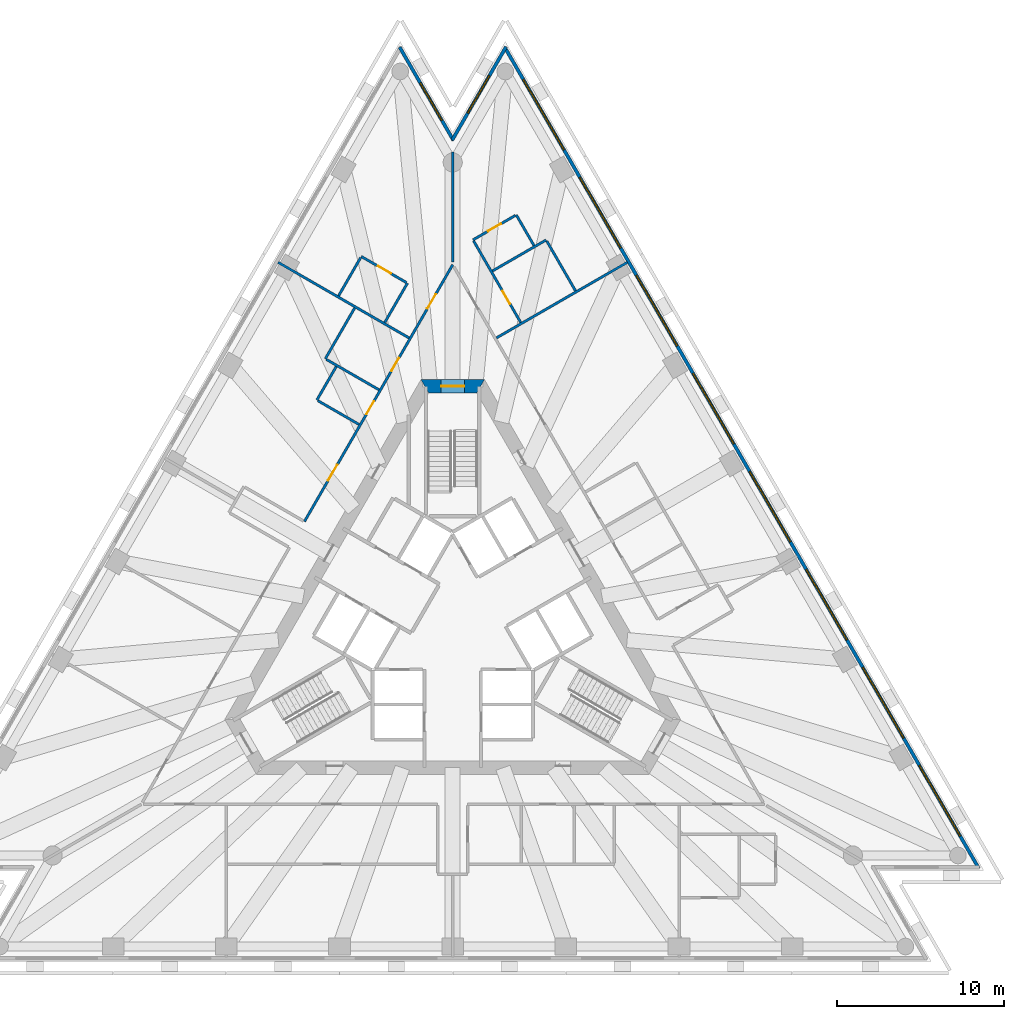
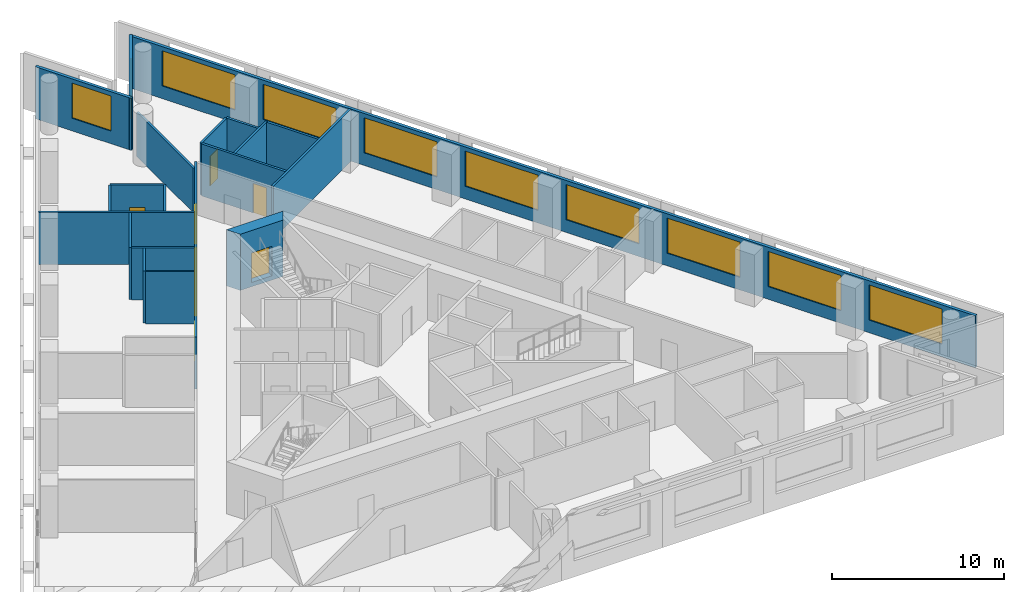
# One storey, part 6 of 9: 20 walls, 10 windows, 8 doors, 18 openings.
"""IFC4 building model written with IfcOpenShell, lengths in metres."""

from ifc_helpers import new_model, si_unit, direction, frame, frame_2d, origin, place, context, subcontext, project, spatial, polyline, rectangle, outline, extrude, material, layer, layer_set, layer_usage, type_object, element, fill, save


model = new_model("IFC4")

# Units and contexts
model_context = context("Model", 3, precision=1e-05, world=origin(), true_north=direction((0.0, 1.0)))
body_context = subcontext(model_context, "Body", "Model", "MODEL_VIEW")
ifc_project = project(units=[si_unit("LENGTHUNIT", "METRE"), si_unit("AREAUNIT", "SQUARE_METRE"), si_unit("VOLUMEUNIT", "CUBIC_METRE"), si_unit("PLANEANGLEUNIT", "RADIAN"), si_unit("MASSUNIT", "GRAM", prefix="KILO")], contexts=[model_context])

# Site, building, storey
site_placement = place(None, origin())
site = spatial("IfcSite", under=ifc_project, at=site_placement, CompositionType="ELEMENT")
building_placement = place(site_placement, origin())
building = spatial("IfcBuilding", under=site, at=building_placement, Name="Triada Interchange Tower", CompositionType="ELEMENT")
storey_placement = place(building_placement, frame((0.0, 0.0, 132.300048828125)))
storey = spatial("IfcBuildingStorey", under=building, at=storey_placement, Name="L30", CompositionType="ELEMENT", Elevation=132.300048828125)

# Wall, opening, door
ifc_material_1 = material(Name="Concrete C60/75", Category="concrete")
ifc_layer_1 = layer(ifc_material_1, 0.800048828125)
ifc_layer_set_1 = layer_set([ifc_layer_1], Name="Core wall B 800")
wall_type_1 = type_object("IfcWallType", Name="Core wall B 800", PredefinedType="SHEAR", material=ifc_layer_set_1)
wall_1_placement = place(storey_placement, frame((1.674072265625, 14.300048828125, -0.300048828125), z_axis=(0.0, 0.0, 1.0), x_axis=(-1.0, 0.0, 0.0)))
wall_1 = element("IfcWall", 1, at=wall_1_placement, inside=storey, type_object=wall_type_1, Name="Core wall WB01 L30", PredefinedType="SHEAR", context=body_context, shape_type="SweptSolid", body=[
    extrude(outline(polyline([(-0.23095703125, -0.39990234375), (1.674072265625, -0.39990234375), (3.5791015625, -0.39990234375), (3.116943359375, 0.39990234375), (1.673828125, 0.39990234375), (0.23095703125, 0.39990234375), (-0.23095703125, -0.39990234375)])), origin(), (0.0, 0.0, 1.0), 4.0),
])
opening_1_placement = place(wall_1_placement, frame((0.97412109375, 0.0, 0.300048828125)))
opening_1 = element("IfcOpeningElement", 2, at=opening_1_placement, cuts=wall_1, Name="Opening D29-38", PredefinedType="OPENING", context=body_context, shape_type="SweptSolid", body=[
    extrude(rectangle(XDim=1.39990234375, YDim=2.10009765625, at=frame_2d((0.699951171875, 1.050048828125))), frame((0.0, 0.409912109375, 0.0), z_axis=(0.0, -1.0, 0.0), x_axis=(1.0, 0.0, 0.0)), (0.0, 0.0, 1.0), 0.820068359375),
])
ifc_material_2 = material(Name="Steel S235 door leaf", Category="steel")
door_type_1 = type_object("IfcDoorType", Name="STAIR DOOR 1400 EI2 90-C5S200", OperationType="DOUBLE_DOOR_SINGLE_SWING", PredefinedType="DOOR", material=ifc_material_2)
door_1_placement = place(opening_1_placement, origin())
door_1 = element("IfcDoor", 3, at=door_1_placement, inside=storey, type_object=door_type_1, Name="Door D29-38 L30", OperationType="DOUBLE_DOOR_SINGLE_SWING", OverallHeight=2.10009765625, OverallWidth=1.39990234375, PredefinedType="DOOR", context=body_context, shape_type="SweptSolid", body=[
    extrude(rectangle(XDim=1.39990234375, YDim=2.10009765625, at=frame_2d((0.699951171875, 1.050048828125))), frame((0.0, 0.02490234375, 0.0), z_axis=(0.0, -1.0, 0.0), x_axis=(1.0, 0.0, 0.0)), (0.0, 0.0, 1.0), 0.050048828125),
])
fill(opening_1, door_1)

# Wall, openings, windows
ifc_material_3 = material(Name="Cement board")
ifc_layer_2 = layer(ifc_material_3, 0.02001953125, Name="Cement board cladding")
ifc_material_4 = material(Name="Sheathing board")
ifc_layer_3 = layer(ifc_material_4, 0.014892578125, Name="Sheathing board")
ifc_material_5 = material(Name="Mineral wool")
ifc_layer_4 = layer(ifc_material_5, 0.14990234375, Name="Mineral wool between steel studs")
ifc_material_6 = material(Name="Gypsum board")
ifc_layer_5 = layer(ifc_material_6, 0.014892578125, Name="Plasterboard lining")
ifc_layer_set_2 = layer_set([ifc_layer_2, ifc_layer_3, ifc_layer_4, ifc_layer_5], Name="External wall 200")
ifc_layer_usage = layer_usage(ifc_layer_set_2, "AXIS2", "POSITIVE", -0.10009765625)
wall_type_2 = type_object("IfcWallType", Name="External wall 200", PredefinedType="ELEMENTEDWALL", material=ifc_layer_set_2)
wall_2_placement = place(storey_placement, frame((31.587890625, -14.64697265625, 0.0), z_axis=(0.0, 0.0, 1.0), x_axis=(-0.500005036527, 0.866022495925, 0.0)))
wall_2 = element("IfcWall", 4, at=wall_2_placement, inside=storey, type_object=wall_type_2, material=ifc_layer_usage, Name="External wall L30 NE", PredefinedType="ELEMENTEDWALL", context=body_context, shape_type="SweptSolid", body=[
    extrude(rectangle(XDim=56.9375, YDim=0.199951171875, at=frame_2d((28.46875, 0.0))), origin(), (0.0, 0.0, 1.0), 3.699951171875),
])
opening_2_placement = place(wall_2_placement, frame((2.25, 0.0, 0.89990234375)))
opening_2 = element("IfcOpeningElement", 5, at=opening_2_placement, cuts=wall_2, Name="Opening WB21", PredefinedType="OPENING", context=body_context, shape_type="SweptSolid", body=[
    extrude(rectangle(XDim=4.89990234375, YDim=2.5, at=frame_2d((2.449951171875, 1.25))), frame((0.0, 0.10986328125, 0.0), z_axis=(0.0, -1.0, 0.0), x_axis=(1.0, 0.0, 0.0)), (0.0, 0.0, 1.0), 0.219970703125),
])
opening_3_placement = place(wall_2_placement, frame((9.0439453125, 0.0, 0.89990234375)))
opening_3 = element("IfcOpeningElement", 6, at=opening_3_placement, cuts=wall_2, Name="Opening WB22", PredefinedType="OPENING", context=body_context, shape_type="SweptSolid", body=[
    extrude(rectangle(XDim=4.89990234375, YDim=2.5, at=frame_2d((2.449951171875, 1.25))), frame((0.0, 0.10986328125, 0.0), z_axis=(0.0, -1.0, 0.0), x_axis=(1.0, 0.0, 0.0)), (0.0, 0.0, 1.0), 0.219970703125),
])
opening_4_placement = place(wall_2_placement, frame((15.837890625, 0.0, 0.89990234375)))
opening_4 = element("IfcOpeningElement", 7, at=opening_4_placement, cuts=wall_2, Name="Opening WB23", PredefinedType="OPENING", context=body_context, shape_type="SweptSolid", body=[
    extrude(rectangle(XDim=4.89990234375, YDim=2.5, at=frame_2d((2.449951171875, 1.25))), frame((0.0, 0.10986328125, 0.0), z_axis=(0.0, -1.0, 0.0), x_axis=(1.0, 0.0, 0.0)), (0.0, 0.0, 1.0), 0.219970703125),
])
opening_5_placement = place(wall_2_placement, frame((22.632080078125, 0.0, 0.89990234375)))
opening_5 = element("IfcOpeningElement", 8, at=opening_5_placement, cuts=wall_2, Name="Opening WB24", PredefinedType="OPENING", context=body_context, shape_type="SweptSolid", body=[
    extrude(rectangle(XDim=4.89990234375, YDim=2.5, at=frame_2d((2.449951171875, 1.25))), frame((0.0, 0.10986328125, 0.0), z_axis=(0.0, -1.0, 0.0), x_axis=(1.0, 0.0, 0.0)), (0.0, 0.0, 1.0), 0.219970703125),
])
opening_6_placement = place(wall_2_placement, frame((29.426025390625, 0.0, 0.89990234375)))
opening_6 = element("IfcOpeningElement", 9, at=opening_6_placement, cuts=wall_2, Name="Opening WB25", PredefinedType="OPENING", context=body_context, shape_type="SweptSolid", body=[
    extrude(rectangle(XDim=4.89990234375, YDim=2.5, at=frame_2d((2.449951171875, 1.25))), frame((0.0, 0.10986328125, 0.0), z_axis=(0.0, -1.0, 0.0), x_axis=(1.0, 0.0, 0.0)), (0.0, 0.0, 1.0), 0.219970703125),
])
opening_7_placement = place(wall_2_placement, frame((36.219970703125, 0.0, 0.89990234375)))
opening_7 = element("IfcOpeningElement", 10, at=opening_7_placement, cuts=wall_2, Name="Opening WB26", PredefinedType="OPENING", context=body_context, shape_type="SweptSolid", body=[
    extrude(rectangle(XDim=4.89990234375, YDim=2.5, at=frame_2d((2.449951171875, 1.25))), frame((0.0, 0.10986328125, 0.0), z_axis=(0.0, -1.0, 0.0), x_axis=(1.0, 0.0, 0.0)), (0.0, 0.0, 1.0), 0.219970703125),
])
opening_8_placement = place(wall_2_placement, frame((43.013916015625, 0.0, 0.89990234375)))
opening_8 = element("IfcOpeningElement", 11, at=opening_8_placement, cuts=wall_2, Name="Opening WB27", PredefinedType="OPENING", context=body_context, shape_type="SweptSolid", body=[
    extrude(rectangle(XDim=4.89990234375, YDim=2.5, at=frame_2d((2.449951171875, 1.25))), frame((0.0, 0.10986328125, 0.0), z_axis=(0.0, -1.0, 0.0), x_axis=(1.0, 0.0, 0.0)), (0.0, 0.0, 1.0), 0.219970703125),
])
opening_9_placement = place(wall_2_placement, frame((49.80810546875, 0.0, 0.89990234375)))
opening_9 = element("IfcOpeningElement", 12, at=opening_9_placement, cuts=wall_2, Name="Opening WB28", PredefinedType="OPENING", context=body_context, shape_type="SweptSolid", body=[
    extrude(rectangle(XDim=4.89990234375, YDim=2.5, at=frame_2d((2.449951171875, 1.25))), frame((0.0, 0.10986328125, 0.0), z_axis=(0.0, -1.0, 0.0), x_axis=(1.0, 0.0, 0.0)), (0.0, 0.0, 1.0), 0.219970703125),
])
ifc_material_7 = material(Name="Double glazed aluminium window", Category="aluminium")
window_type_1 = type_object("IfcWindowType", Name="Ribbon window B face", PartitioningType="SINGLE_PANEL", PredefinedType="WINDOW", material=ifc_material_7)
window_1_placement = place(opening_2_placement, origin())
window_1 = element("IfcWindow", 13, at=window_1_placement, inside=storey, type_object=window_type_1, Name="Window L30 NE 1", OverallHeight=2.5, OverallWidth=4.89990234375, PartitioningType="SINGLE_PANEL", PredefinedType="WINDOW", context=body_context, shape_type="SweptSolid", body=[
    extrude(rectangle(XDim=4.89990234375, YDim=2.5, at=frame_2d((2.449951171875, 1.25))), frame((0.0, 0.030029296875, 0.0), z_axis=(0.0, -1.0, 0.0), x_axis=(1.0, 0.0, 0.0)), (0.0, 0.0, 1.0), 0.06005859375),
])
fill(opening_2, window_1)
window_2_placement = place(opening_3_placement, origin())
window_2 = element("IfcWindow", 14, at=window_2_placement, inside=storey, type_object=window_type_1, Name="Window L30 NE 2", OverallHeight=2.5, OverallWidth=4.89990234375, PartitioningType="SINGLE_PANEL", PredefinedType="WINDOW", context=body_context, shape_type="SweptSolid", body=[
    extrude(rectangle(XDim=4.89990234375, YDim=2.5, at=frame_2d((2.449951171875, 1.25))), frame((0.0, 0.030029296875, 0.0), z_axis=(0.0, -1.0, 0.0), x_axis=(1.0, 0.0, 0.0)), (0.0, 0.0, 1.0), 0.06005859375),
])
fill(opening_3, window_2)
window_3_placement = place(opening_4_placement, origin())
window_3 = element("IfcWindow", 15, at=window_3_placement, inside=storey, type_object=window_type_1, Name="Window L30 NE 3", OverallHeight=2.5, OverallWidth=4.89990234375, PartitioningType="SINGLE_PANEL", PredefinedType="WINDOW", context=body_context, shape_type="SweptSolid", body=[
    extrude(rectangle(XDim=4.89990234375, YDim=2.5, at=frame_2d((2.449951171875, 1.25))), frame((0.0, 0.030029296875, 0.0), z_axis=(0.0, -1.0, 0.0), x_axis=(1.0, 0.0, 0.0)), (0.0, 0.0, 1.0), 0.06005859375),
])
fill(opening_4, window_3)
window_4_placement = place(opening_5_placement, origin())
window_4 = element("IfcWindow", 16, at=window_4_placement, inside=storey, type_object=window_type_1, Name="Window L30 NE 4", OverallHeight=2.5, OverallWidth=4.89990234375, PartitioningType="SINGLE_PANEL", PredefinedType="WINDOW", context=body_context, shape_type="SweptSolid", body=[
    extrude(rectangle(XDim=4.89990234375, YDim=2.5, at=frame_2d((2.449951171875, 1.25))), frame((0.0, 0.030029296875, 0.0), z_axis=(0.0, -1.0, 0.0), x_axis=(1.0, 0.0, 0.0)), (0.0, 0.0, 1.0), 0.06005859375),
])
fill(opening_5, window_4)
window_5_placement = place(opening_6_placement, origin())
window_5 = element("IfcWindow", 17, at=window_5_placement, inside=storey, type_object=window_type_1, Name="Window L30 NE 5", OverallHeight=2.5, OverallWidth=4.89990234375, PartitioningType="SINGLE_PANEL", PredefinedType="WINDOW", context=body_context, shape_type="SweptSolid", body=[
    extrude(rectangle(XDim=4.89990234375, YDim=2.5, at=frame_2d((2.449951171875, 1.25))), frame((0.0, 0.030029296875, 0.0), z_axis=(0.0, -1.0, 0.0), x_axis=(1.0, 0.0, 0.0)), (0.0, 0.0, 1.0), 0.06005859375),
])
fill(opening_6, window_5)
window_6_placement = place(opening_7_placement, origin())
window_6 = element("IfcWindow", 18, at=window_6_placement, inside=storey, type_object=window_type_1, Name="Window L30 NE 6", OverallHeight=2.5, OverallWidth=4.89990234375, PartitioningType="SINGLE_PANEL", PredefinedType="WINDOW", context=body_context, shape_type="SweptSolid", body=[
    extrude(rectangle(XDim=4.89990234375, YDim=2.5, at=frame_2d((2.449951171875, 1.25))), frame((0.0, 0.030029296875, 0.0), z_axis=(0.0, -1.0, 0.0), x_axis=(1.0, 0.0, 0.0)), (0.0, 0.0, 1.0), 0.06005859375),
])
fill(opening_7, window_6)
window_7_placement = place(opening_8_placement, origin())
window_7 = element("IfcWindow", 19, at=window_7_placement, inside=storey, type_object=window_type_1, Name="Window L30 NE 7", OverallHeight=2.5, OverallWidth=4.89990234375, PartitioningType="SINGLE_PANEL", PredefinedType="WINDOW", context=body_context, shape_type="SweptSolid", body=[
    extrude(rectangle(XDim=4.89990234375, YDim=2.5, at=frame_2d((2.449951171875, 1.25))), frame((0.0, 0.030029296875, 0.0), z_axis=(0.0, -1.0, 0.0), x_axis=(1.0, 0.0, 0.0)), (0.0, 0.0, 1.0), 0.06005859375),
])
fill(opening_8, window_7)
window_8_placement = place(opening_9_placement, origin())
window_8 = element("IfcWindow", 20, at=window_8_placement, inside=storey, type_object=window_type_1, Name="Window L30 NE 8", OverallHeight=2.5, OverallWidth=4.89990234375, PartitioningType="SINGLE_PANEL", PredefinedType="WINDOW", context=body_context, shape_type="SweptSolid", body=[
    extrude(rectangle(XDim=4.89990234375, YDim=2.5, at=frame_2d((2.449951171875, 1.25))), frame((0.0, 0.030029296875, 0.0), z_axis=(0.0, -1.0, 0.0), x_axis=(1.0, 0.0, 0.0)), (0.0, 0.0, 1.0), 0.06005859375),
])
fill(opening_9, window_8)

# Wall, opening, window
wall_3_placement = place(storey_placement, frame((3.198974609375, 34.678955078125, 0.0), z_axis=(0.0, 0.0, 1.0), x_axis=(-0.500012177251, -0.866018373131, 0.0)))
wall_3 = element("IfcWall", 21, at=wall_3_placement, inside=storey, type_object=wall_type_2, material=ifc_layer_usage, Name="External wall L30 N-1", PredefinedType="ELEMENTEDWALL", context=body_context, shape_type="SweptSolid", body=[
    extrude(rectangle(XDim=6.467529296875, YDim=0.199951171875, at=frame_2d((3.23388671875, 0.0))), origin(), (0.0, 0.0, 1.0), 3.699951171875),
])
opening_10_placement = place(wall_3_placement, frame((1.989990234375, 0.0, 0.89990234375)))
opening_10 = element("IfcOpeningElement", 22, at=opening_10_placement, cuts=wall_3, Name="Opening WB29", PredefinedType="OPENING", context=body_context, shape_type="SweptSolid", body=[
    extrude(rectangle(XDim=2.60009765625, YDim=2.5, at=frame_2d((1.300048828125, 1.25))), frame((0.0, 0.10986328125, 0.0), z_axis=(0.0, -1.0, 0.0), x_axis=(1.0, 0.0, 0.0)), (0.0, 0.0, 1.0), 0.219970703125),
])
window_type_2 = type_object("IfcWindowType", Name="Ribbon window B pocket", PartitioningType="SINGLE_PANEL", PredefinedType="WINDOW", material=ifc_material_7)
window_9_placement = place(opening_10_placement, origin())
window_9 = element("IfcWindow", 23, at=window_9_placement, inside=storey, type_object=window_type_2, Name="Window L30 N-1 1", OverallHeight=2.5, OverallWidth=2.60009765625, PartitioningType="SINGLE_PANEL", PredefinedType="WINDOW", context=body_context, shape_type="SweptSolid", body=[
    extrude(rectangle(XDim=2.60009765625, YDim=2.5, at=frame_2d((1.300048828125, 1.25))), frame((0.0, 0.030029296875, 0.0), z_axis=(0.0, -1.0, 0.0), x_axis=(1.0, 0.0, 0.0)), (0.0, 0.0, 1.0), 0.06005859375),
])
fill(opening_10, window_9)

wall_4_placement = place(storey_placement, frame((0.044921875, 29.06103515625, 0.0), z_axis=(0.0, 0.0, 1.0), x_axis=(-0.500012177251, 0.866018373131, 0.0)))
wall_4 = element("IfcWall", 24, at=wall_4_placement, inside=storey, type_object=wall_type_2, material=ifc_layer_usage, Name="External wall L30 N-2", PredefinedType="ELEMENTEDWALL", context=body_context, shape_type="SweptSolid", body=[
    extrude(rectangle(XDim=6.467529296875, YDim=0.199951171875, at=frame_2d((3.23388671875, 0.0))), origin(), (0.0, 0.0, 1.0), 3.699951171875),
])
opening_11_placement = place(wall_4_placement, frame((1.389892578125, 0.0, 0.89990234375)))
opening_11 = element("IfcOpeningElement", 25, at=opening_11_placement, cuts=wall_4, Name="Opening WB30", PredefinedType="OPENING", context=body_context, shape_type="SweptSolid", body=[
    extrude(rectangle(XDim=2.60009765625, YDim=2.5, at=frame_2d((1.300048828125, 1.25))), frame((0.0, 0.10986328125, 0.0), z_axis=(0.0, -1.0, 0.0), x_axis=(1.0, 0.0, 0.0)), (0.0, 0.0, 1.0), 0.219970703125),
])
window_10_placement = place(opening_11_placement, origin())
window_10 = element("IfcWindow", 26, at=window_10_placement, inside=storey, type_object=window_type_2, Name="Window L30 N-2 1", OverallHeight=2.5, OverallWidth=2.60009765625, PartitioningType="SINGLE_PANEL", PredefinedType="WINDOW", context=body_context, shape_type="SweptSolid", body=[
    extrude(rectangle(XDim=2.60009765625, YDim=2.5, at=frame_2d((1.300048828125, 1.25))), frame((0.0, 0.030029296875, 0.0), z_axis=(0.0, -1.0, 0.0), x_axis=(1.0, 0.0, 0.0)), (0.0, 0.0, 1.0), 0.06005859375),
])
fill(opening_11, window_10)

# Wall, openings, doors
ifc_material_8 = material(Name="Gypsum board partition")
ifc_layer_6 = layer(ifc_material_8, 0.14990234375)
ifc_layer_set_3 = layer_set([ifc_layer_6], Name="PARTITION 150 EI 180")
wall_type_3 = type_object("IfcWallType", Name="PARTITION 150 EI 180", PredefinedType="PARTITIONING", material=ifc_layer_set_3)
wall_5_placement = place(storey_placement, frame((-8.903076171875, 6.179931640625, 0.0), z_axis=(0.0, 0.0, 1.0), x_axis=(0.500010074151, 0.866019587393, 0.0)))
wall_5 = element("IfcWall", 27, at=wall_5_placement, inside=storey, type_object=wall_type_3, Name="Wall L29 7", PredefinedType="PARTITIONING", context=body_context, shape_type="SweptSolid", body=[
    extrude(rectangle(XDim=17.805908203125, YDim=0.14990234375, at=frame_2d((8.90283203125, 0.0))), origin(), (0.0, 0.0, 1.0), 3.699951171875),
])
opening_12_placement = place(wall_5_placement, frame((14.756103515625, 0.0, 0.0)))
opening_12 = element("IfcOpeningElement", 28, at=opening_12_placement, cuts=wall_5, Name="Opening D29-29", PredefinedType="OPENING", context=body_context, shape_type="SweptSolid", body=[
    extrude(rectangle(XDim=1.0, YDim=2.10009765625, at=frame_2d((0.5, 1.050048828125))), frame((0.0, 0.0849609375, 0.0), z_axis=(0.0, -1.0, 0.0), x_axis=(1.0, 0.0, 0.0)), (0.0, 0.0, 1.0), 0.169921875),
])
opening_13_placement = place(wall_5_placement, frame((2.837890625, 0.0, 0.0)))
opening_13 = element("IfcOpeningElement", 29, at=opening_13_placement, cuts=wall_5, Name="Opening D29-31", PredefinedType="OPENING", context=body_context, shape_type="SweptSolid", body=[
    extrude(rectangle(XDim=1.10009765625, YDim=2.10009765625, at=frame_2d((0.550048828125, 1.050048828125))), frame((0.0, 0.0849609375, 0.0), z_axis=(0.0, -1.0, 0.0), x_axis=(1.0, 0.0, 0.0)), (0.0, 0.0, 1.0), 0.169921875),
])
opening_14_placement = place(wall_5_placement, frame((10.43798828125, 0.0, 0.0)))
opening_14 = element("IfcOpeningElement", 30, at=opening_14_placement, cuts=wall_5, Name="Opening D29-32", PredefinedType="OPENING", context=body_context, shape_type="SweptSolid", body=[
    extrude(rectangle(XDim=0.89990234375, YDim=2.10009765625, at=frame_2d((0.449951171875, 1.050048828125))), frame((0.0, 0.0849609375, 0.0), z_axis=(0.0, -1.0, 0.0), x_axis=(1.0, 0.0, 0.0)), (0.0, 0.0, 1.0), 0.169921875),
])
opening_15_placement = place(wall_5_placement, frame((7.43798828125, 0.0, 0.0)))
opening_15 = element("IfcOpeningElement", 31, at=opening_15_placement, cuts=wall_5, Name="Opening D29-33", PredefinedType="OPENING", context=body_context, shape_type="SweptSolid", body=[
    extrude(rectangle(XDim=0.89990234375, YDim=2.10009765625, at=frame_2d((0.449951171875, 1.050048828125))), frame((0.0, 0.0849609375, 0.0), z_axis=(0.0, -1.0, 0.0), x_axis=(1.0, 0.0, 0.0)), (0.0, 0.0, 1.0), 0.169921875),
])
door_type_2 = type_object("IfcDoorType", Name="ROOM DOOR 1000 EI2 90-C5S200", OperationType="NOTDEFINED", PredefinedType="DOOR", material=ifc_material_2)
door_2_placement = place(opening_12_placement, origin())
door_2 = element("IfcDoor", 32, at=door_2_placement, inside=storey, type_object=door_type_2, Name="Door D29-29 L30", OperationType="SINGLE_SWING_RIGHT", OverallHeight=2.10009765625, OverallWidth=1.0, PredefinedType="DOOR", context=body_context, shape_type="SweptSolid", body=[
    extrude(rectangle(XDim=1.0, YDim=2.10009765625, at=frame_2d((0.5, 1.050048828125))), frame((0.0, 0.02490234375, 0.0), z_axis=(0.0, -1.0, 0.0), x_axis=(1.0, 0.0, 0.0)), (0.0, 0.0, 1.0), 0.050048828125),
])
fill(opening_12, door_2)
door_type_3 = type_object("IfcDoorType", Name="ROOM DOOR 900 EI2 90-C5S200", OperationType="NOTDEFINED", PredefinedType="DOOR", material=ifc_material_2)
door_3_placement = place(opening_14_placement, origin())
door_3 = element("IfcDoor", 33, at=door_3_placement, inside=storey, type_object=door_type_3, Name="Door D29-32 L30", OperationType="SINGLE_SWING_LEFT", OverallHeight=2.10009765625, OverallWidth=0.89990234375, PredefinedType="DOOR", context=body_context, shape_type="SweptSolid", body=[
    extrude(rectangle(XDim=0.89990234375, YDim=2.10009765625, at=frame_2d((0.449951171875, 1.050048828125))), frame((0.0, 0.02490234375, 0.0), z_axis=(0.0, -1.0, 0.0), x_axis=(1.0, 0.0, 0.0)), (0.0, 0.0, 1.0), 0.050048828125),
])
fill(opening_14, door_3)
door_4_placement = place(opening_15_placement, origin())
door_4 = element("IfcDoor", 34, at=door_4_placement, inside=storey, type_object=door_type_3, Name="Door D29-33 L30", OperationType="SINGLE_SWING_LEFT", OverallHeight=2.10009765625, OverallWidth=0.89990234375, PredefinedType="DOOR", context=body_context, shape_type="SweptSolid", body=[
    extrude(rectangle(XDim=0.89990234375, YDim=2.10009765625, at=frame_2d((0.449951171875, 1.050048828125))), frame((0.0, 0.02490234375, 0.0), z_axis=(0.0, -1.0, 0.0), x_axis=(1.0, 0.0, 0.0)), (0.0, 0.0, 1.0), 0.050048828125),
])
fill(opening_15, door_4)
door_type_4 = type_object("IfcDoorType", Name="TENANCY ENTRANCE DOOR 1100 EI2 90-C5S200", OperationType="NOTDEFINED", PredefinedType="DOOR", material=ifc_material_2)
door_5_placement = place(opening_13_placement, origin())
door_5 = element("IfcDoor", 35, at=door_5_placement, inside=storey, type_object=door_type_4, Name="Door D29-31 L30", OperationType="SINGLE_SWING_LEFT", OverallHeight=2.10009765625, OverallWidth=1.10009765625, PredefinedType="DOOR", context=body_context, shape_type="SweptSolid", body=[
    extrude(rectangle(XDim=1.10009765625, YDim=2.10009765625, at=frame_2d((0.550048828125, 1.050048828125))), frame((0.0, 0.02490234375, 0.0), z_axis=(0.0, -1.0, 0.0), x_axis=(1.0, 0.0, 0.0)), (0.0, 0.0, 1.0), 0.050048828125),
])
fill(opening_13, door_5)

# Walls
wall_6_placement = place(storey_placement, frame((-10.485107421875, 21.743896484375, 0.0), z_axis=(0.0, 0.0, 1.0), x_axis=(0.866014937375, -0.500018127915, 0.0)))
element("IfcWall", 36, at=wall_6_placement, inside=storey, type_object=wall_type_3, Name="Wall L29 16", PredefinedType="PARTITIONING", context=body_context, shape_type="SweptSolid", body=[
    extrude(rectangle(XDim=9.077392578125, YDim=0.14990234375, at=frame_2d((4.53857421875, 0.0))), origin(), (0.0, 0.0, 1.0), 3.699951171875),
])
wall_7_placement = place(storey_placement, frame((-7.64990234375, 15.949951171875, 0.0), z_axis=(0.0, 0.0, 1.0), x_axis=(0.500064136673, 0.865988371292, 0.0)))
element("IfcWall", 37, at=wall_7_placement, inside=storey, type_object=wall_type_3, Name="Wall L29 17", PredefinedType="PARTITIONING", context=body_context, shape_type="SweptSolid", body=[
    extrude(rectangle(XDim=3.525390625, YDim=0.14990234375, at=frame_2d((1.7626953125, 0.0))), origin(), (0.0, 0.0, 1.0), 3.699951171875),
])
wall_8_placement = place(storey_placement, frame((-7.5849609375, 15.9130859375, 0.0), z_axis=(0.0, 0.0, 1.0), x_axis=(0.865995104784, -0.500052475737, 0.0)))
element("IfcWall", 38, at=wall_8_placement, inside=storey, type_object=wall_type_3, Name="Wall L29 18", PredefinedType="PARTITIONING", context=body_context, shape_type="SweptSolid", body=[
    extrude(rectangle(XDim=3.64990234375, YDim=0.14990234375, at=frame_2d((1.824951171875, 0.0))), origin(), (0.0, 0.0, 1.0), 3.699951171875),
])
wall_9_placement = place(storey_placement, frame((-8.156982421875, 13.471923828125, 0.0), z_axis=(0.0, 0.0, 1.0), x_axis=(0.500249606323, 0.865881245537, 0.0)))
element("IfcWall", 39, at=wall_9_placement, inside=storey, type_object=wall_type_3, Name="Wall L29 19", PredefinedType="PARTITIONING", context=body_context, shape_type="SweptSolid", body=[
    extrude(rectangle(XDim=2.324951171875, YDim=0.14990234375, at=frame_2d((1.16259765625, 0.0))), origin(), (0.0, 0.0, 1.0), 3.699951171875),
])
wall_10_placement = place(storey_placement, frame((-8.092041015625, 13.43408203125, 0.0), z_axis=(0.0, 0.0, 1.0), x_axis=(0.866004402611, -0.500036373335, 0.0)))
element("IfcWall", 40, at=wall_10_placement, inside=storey, type_object=wall_type_3, Name="Wall L29 20", PredefinedType="PARTITIONING", context=body_context, shape_type="SweptSolid", body=[
    extrude(rectangle(XDim=2.849853515625, YDim=0.14990234375, at=frame_2d((1.4248046875, 0.0))), origin(), (0.0, 0.0, 1.0), 3.699951171875),
])
wall_11_placement = place(storey_placement, frame((0.0, 21.75, 0.0), z_axis=(0.0, 0.0, 1.0), x_axis=(0.0, 1.0, 0.0)))
element("IfcWall", 41, at=wall_11_placement, inside=storey, type_object=wall_type_3, Name="Wall L29 22", PredefinedType="PARTITIONING", context=body_context, shape_type="SweptSolid", body=[
    extrude(rectangle(XDim=6.60888671875, YDim=0.14990234375, at=frame_2d((3.304443359375, 0.0))), origin(), (0.0, 0.0, 1.0), 3.14990234375),
])
wall_12_placement = place(storey_placement, frame((2.6240234375, 17.205078125, 0.0), z_axis=(0.0, 0.0, 1.0), x_axis=(0.866014937375, 0.500018127915, 0.0)))
element("IfcWall", 42, at=wall_12_placement, inside=storey, type_object=wall_type_3, Name="Wall L29 27", PredefinedType="PARTITIONING", context=body_context, shape_type="SweptSolid", body=[
    extrude(rectangle(XDim=9.077392578125, YDim=0.14990234375, at=frame_2d((4.53857421875, 0.0))), origin(), (0.0, 0.0, 1.0), 3.699951171875),
])
ifc_layer_7 = layer(ifc_material_8, 0.14990234375)
ifc_layer_set_4 = layer_set([ifc_layer_7], Name="PARTITION 150 EI 90")
wall_type_4 = type_object("IfcWallType", Name="PARTITION 150 EI 90", PredefinedType="PARTITIONING", material=ifc_layer_set_4)
wall_13_placement = place(storey_placement, frame((-4.080078125, 18.133056640625, 0.0), z_axis=(0.0, 0.0, 1.0), x_axis=(0.499887924105, 0.866090101164, 0.0)))
element("IfcWall", 43, at=wall_13_placement, inside=storey, type_object=wall_type_4, Name="Wall L29 41", PredefinedType="PARTITIONING", context=body_context, shape_type="SweptSolid", body=[
    extrude(rectangle(XDim=2.724853515625, YDim=0.14990234375, at=frame_2d((1.3623046875, 0.0))), origin(), (0.0, 0.0, 1.0), 3.699951171875),
])

# Wall, opening, door
wall_14_placement = place(storey_placement, frame((-5.489013671875, 22.093017578125, 0.0), z_axis=(0.0, 0.0, 1.0), x_axis=(0.865935755868, -0.500155242608, 0.0)))
wall_14 = element("IfcWall", 44, at=wall_14_placement, inside=storey, type_object=wall_type_4, Name="Wall L29 42", PredefinedType="PARTITIONING", context=body_context, shape_type="SweptSolid", body=[
    extrude(rectangle(XDim=3.125, YDim=0.14990234375, at=frame_2d((1.5625, 0.0))), origin(), (0.0, 0.0, 1.0), 3.699951171875),
])
opening_16_placement = place(wall_14_placement, frame((1.14990234375, 0.0, 0.0)))
opening_16 = element("IfcOpeningElement", 45, at=opening_16_placement, cuts=wall_14, Name="Opening D29-30", PredefinedType="OPENING", context=body_context, shape_type="SweptSolid", body=[
    extrude(rectangle(XDim=0.89990234375, YDim=2.10009765625, at=frame_2d((0.449951171875, 1.050048828125))), frame((0.0, 0.0849609375, 0.0), z_axis=(0.0, -1.0, 0.0), x_axis=(1.0, 0.0, 0.0)), (0.0, 0.0, 1.0), 0.169921875),
])
door_type_5 = type_object("IfcDoorType", Name="ROOM DOOR 900 EI2 45-C5S200", OperationType="NOTDEFINED", PredefinedType="DOOR", material=ifc_material_2)
door_6_placement = place(opening_16_placement, origin())
door_6 = element("IfcDoor", 46, at=door_6_placement, inside=storey, type_object=door_type_5, Name="Door D29-30 L30", OperationType="SINGLE_SWING_LEFT", OverallHeight=2.10009765625, OverallWidth=0.89990234375, PredefinedType="DOOR", context=body_context, shape_type="SweptSolid", body=[
    extrude(rectangle(XDim=0.89990234375, YDim=2.10009765625, at=frame_2d((0.449951171875, 1.050048828125))), frame((0.0, 0.02490234375, 0.0), z_axis=(0.0, -1.0, 0.0), x_axis=(1.0, 0.0, 0.0)), (0.0, 0.0, 1.0), 0.050048828125),
])
fill(opening_16, door_6)

# Walls
wall_15_placement = place(storey_placement, frame((-6.85205078125, 19.73291015625, 0.0), z_axis=(0.0, 0.0, 1.0), x_axis=(0.499953715521, 0.866052124492, 0.0)))
element("IfcWall", 47, at=wall_15_placement, inside=storey, type_object=wall_type_4, Name="Wall L29 43", PredefinedType="PARTITIONING", context=body_context, shape_type="SweptSolid", body=[
    extrude(rectangle(XDim=2.650146484375, YDim=0.14990234375, at=frame_2d((1.3251953125, 0.0))), origin(), (0.0, 0.0, 1.0), 3.699951171875),
])
wall_16_placement = place(storey_placement, frame((2.383056640625, 21.222900390625, 0.0), z_axis=(0.0, 0.0, 1.0), x_axis=(0.865955274182, 0.500121448367, 0.0)))
element("IfcWall", 48, at=wall_16_placement, inside=storey, type_object=wall_type_4, Name="Wall L29 44", PredefinedType="PARTITIONING", context=body_context, shape_type="SweptSolid", body=[
    extrude(rectangle(XDim=3.72509765625, YDim=0.14990234375, at=frame_2d((1.862548828125, 0.0))), origin(), (0.0, 0.0, 1.0), 3.699951171875),
])
wall_17_placement = place(storey_placement, frame((5.64599609375, 23.02099609375, 0.0), z_axis=(0.0, 0.0, 1.0), x_axis=(0.49998991961, -0.866031223622, 0.0)))
element("IfcWall", 49, at=wall_17_placement, inside=storey, type_object=wall_type_4, Name="Wall L29 45", PredefinedType="PARTITIONING", context=body_context, shape_type="SweptSolid", body=[
    extrude(rectangle(XDim=3.4501953125, YDim=0.14990234375, at=frame_2d((1.72509765625, 0.0))), origin(), (0.0, 0.0, 1.0), 3.699951171875),
])
wall_18_placement = place(storey_placement, frame((3.81591796875, 24.591064453125, 0.0), z_axis=(0.0, 0.0, 1.0), x_axis=(0.499871667208, -0.86609948408, 0.0)))
element("IfcWall", 50, at=wall_18_placement, inside=storey, type_object=wall_type_4, Name="Wall L29 46", PredefinedType="PARTITIONING", context=body_context, shape_type="SweptSolid", body=[
    extrude(rectangle(XDim=2.12451171875, YDim=0.14990234375, at=frame_2d((1.062255859375, 0.0))), origin(), (0.0, 0.0, 1.0), 3.699951171875),
])

# Wall, opening, door
wall_19_placement = place(storey_placement, frame((1.218017578125, 23.091064453125, 0.0), z_axis=(0.0, 0.0, 1.0), x_axis=(0.866098016745, 0.499874209568, 0.0)))
wall_19 = element("IfcWall", 51, at=wall_19_placement, inside=storey, type_object=wall_type_4, Name="Wall L29 47", PredefinedType="PARTITIONING", context=body_context, shape_type="SweptSolid", body=[
    extrude(rectangle(XDim=2.924560546875, YDim=0.14990234375, at=frame_2d((1.46240234375, 0.0))), origin(), (0.0, 0.0, 1.0), 3.699951171875),
])
opening_17_placement = place(wall_19_placement, frame((1.050048828125, 0.0, 0.0)))
opening_17 = element("IfcOpeningElement", 52, at=opening_17_placement, cuts=wall_19, Name="Opening D29-28", PredefinedType="OPENING", context=body_context, shape_type="SweptSolid", body=[
    extrude(rectangle(XDim=0.89990234375, YDim=2.10009765625, at=frame_2d((0.449951171875, 1.050048828125))), frame((0.0, 0.0849609375, 0.0), z_axis=(0.0, -1.0, 0.0), x_axis=(1.0, 0.0, 0.0)), (0.0, 0.0, 1.0), 0.169921875),
])
door_type_6 = type_object("IfcDoorType", Name="SERVICE DOOR 900 EI2 45-C5S200", OperationType="NOTDEFINED", PredefinedType="DOOR", material=ifc_material_2)
door_7_placement = place(opening_17_placement, origin())
door_7 = element("IfcDoor", 53, at=door_7_placement, inside=storey, type_object=door_type_6, Name="Door D29-28 L30", OperationType="SINGLE_SWING_RIGHT", OverallHeight=2.10009765625, OverallWidth=0.89990234375, PredefinedType="DOOR", context=body_context, shape_type="SweptSolid", body=[
    extrude(rectangle(XDim=0.89990234375, YDim=2.10009765625, at=frame_2d((0.449951171875, 1.050048828125))), frame((0.0, 0.02490234375, 0.0), z_axis=(0.0, -1.0, 0.0), x_axis=(1.0, 0.0, 0.0)), (0.0, 0.0, 1.0), 0.050048828125),
])
fill(opening_17, door_7)

wall_20_placement = place(storey_placement, frame((1.2548828125, 23.02587890625, 0.0), z_axis=(0.0, 0.0, 1.0), x_axis=(0.500042884217, -0.866000643155, 0.0)))
wall_20 = element("IfcWall", 54, at=wall_20_placement, inside=storey, type_object=wall_type_4, Name="Wall L29 48", PredefinedType="PARTITIONING", context=body_context, shape_type="SweptSolid", body=[
    extrude(rectangle(XDim=5.64990234375, YDim=0.14990234375, at=frame_2d((2.824951171875, 0.0))), origin(), (0.0, 0.0, 1.0), 3.699951171875),
])
opening_18_placement = place(wall_20_placement, frame((3.47509765625, 0.0, 0.0)))
opening_18 = element("IfcOpeningElement", 55, at=opening_18_placement, cuts=wall_20, Name="Opening D29-27", PredefinedType="OPENING", context=body_context, shape_type="SweptSolid", body=[
    extrude(rectangle(XDim=0.89990234375, YDim=2.10009765625, at=frame_2d((0.449951171875, 1.050048828125))), frame((0.0, 0.0849609375, 0.0), z_axis=(0.0, -1.0, 0.0), x_axis=(1.0, 0.0, 0.0)), (0.0, 0.0, 1.0), 0.169921875),
])
door_8_placement = place(opening_18_placement, origin())
door_8 = element("IfcDoor", 56, at=door_8_placement, inside=storey, type_object=door_type_5, Name="Door D29-27 L30", OperationType="SINGLE_SWING_RIGHT", OverallHeight=2.10009765625, OverallWidth=0.89990234375, PredefinedType="DOOR", context=body_context, shape_type="SweptSolid", body=[
    extrude(rectangle(XDim=0.89990234375, YDim=2.10009765625, at=frame_2d((0.449951171875, 1.050048828125))), frame((0.0, 0.02490234375, 0.0), z_axis=(0.0, -1.0, 0.0), x_axis=(1.0, 0.0, 0.0)), (0.0, 0.0, 1.0), 0.050048828125),
])
fill(opening_18, door_8)

save(model, "model.ifc")
